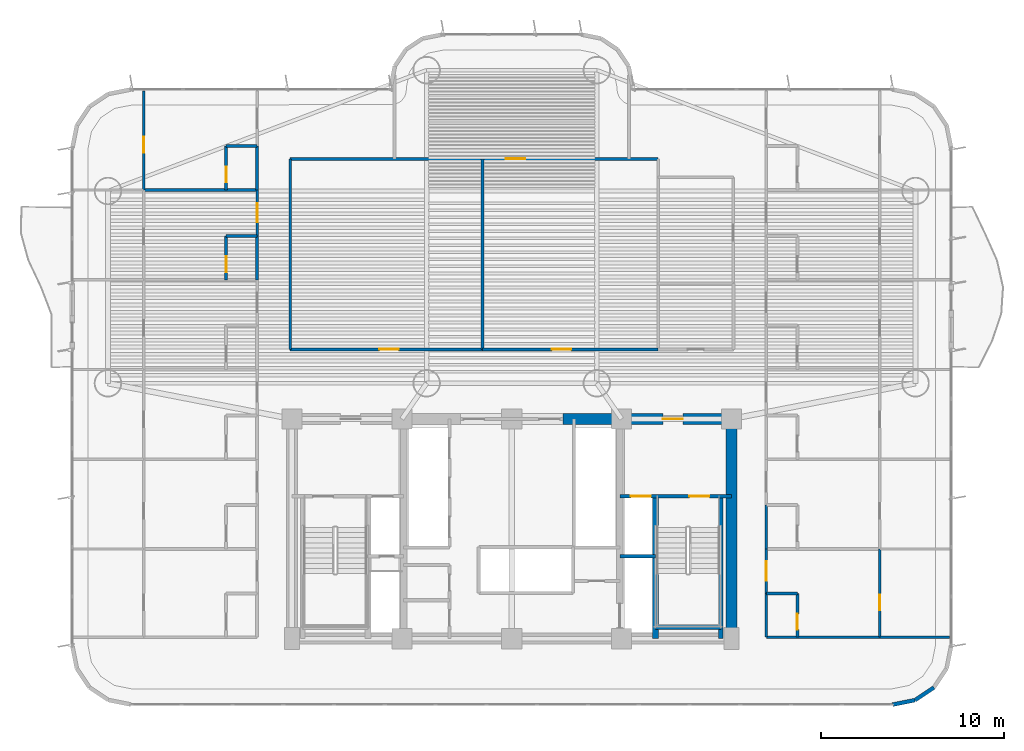
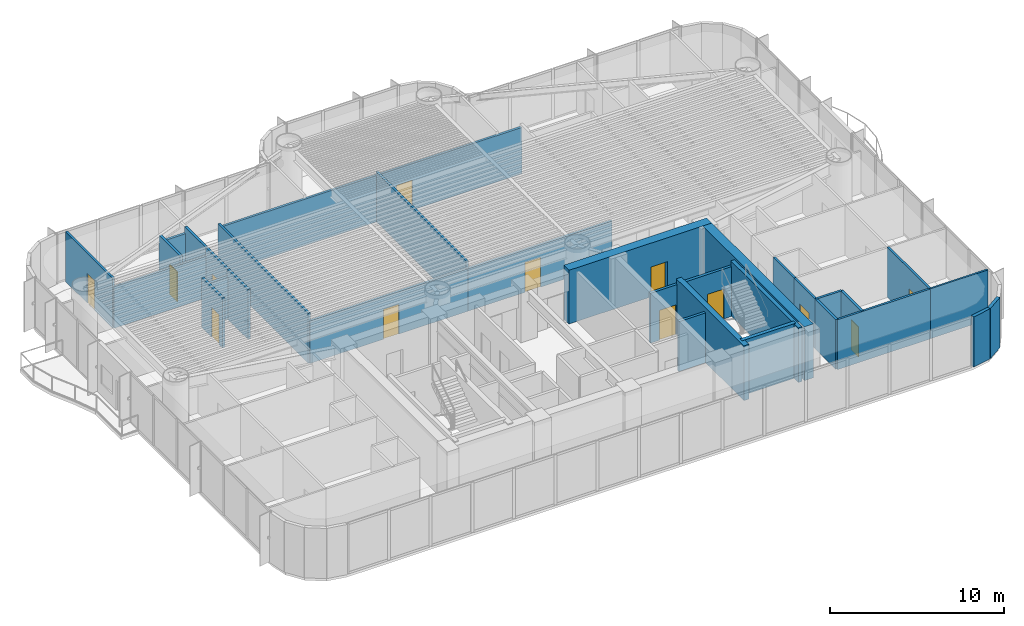
# One storey, part 12 of 19: 31 walls, 13 doors, 13 openings.
"""IFC4 building model written with IfcOpenShell, lengths in metres."""

from ifc_helpers import new_model, si_unit, direction, frame, frame_2d, origin, origin_2d, place, context, subcontext, project, spatial, rectangle, extrude, source, transform, mapped, material, layer, layer_set, type_object, element, fill, save


model = new_model("IFC4")

# Units and contexts
model_context = context("Model", 3, precision=1e-05, world=origin(), true_north=direction((0.0, 1.0)))
body_context = subcontext(model_context, "Body", "Model", "MODEL_VIEW")
ifc_project = project(units=[si_unit("LENGTHUNIT", "METRE"), si_unit("AREAUNIT", "SQUARE_METRE"), si_unit("VOLUMEUNIT", "CUBIC_METRE"), si_unit("PLANEANGLEUNIT", "RADIAN"), si_unit("MASSUNIT", "GRAM", prefix="KILO")], contexts=[model_context])

# Site, building, storey
site_placement = place(None, origin())
site = spatial("IfcSite", under=ifc_project, at=site_placement, CompositionType="ELEMENT")
building_placement = place(site_placement, origin())
building = spatial("IfcBuilding", under=site, at=building_placement, Name="Brelvock Crest Care Tower", CompositionType="ELEMENT")
storey_placement = place(building_placement, frame((0.0, 0.0, 68.580078125)))
storey = spatial("IfcBuildingStorey", under=building, at=storey_placement, Name="L17", CompositionType="ELEMENT", Elevation=68.580078125)

# Wall
ifc_material_1 = material(Name="Concrete S80 (80 MPa)", Category="concrete")
ifc_layer_1 = layer(ifc_material_1, 0.60009765625, Name="WL-CS1")
ifc_layer_set_1 = layer_set([ifc_layer_1], Name="Concrete S80 (80 MPa)")
wall_type_1 = type_object("IfcWallType", Name="WL-CS1", PredefinedType="SHEAR", material=ifc_layer_set_1)
wall_1_placement = place(storey_placement, frame((48.0, 18.0, 0.0), z_axis=(0.0, 0.0, 1.0), x_axis=(0.0, -1.0, 0.0)))
element("IfcWall", 1, at=wall_1_placement, inside=storey, type_object=wall_type_1, Name="L17 Core East Shear Wall", PredefinedType="SHEAR", context=body_context, shape_type="SweptSolid", body=[
    extrude(rectangle(XDim=12.0, YDim=0.60009765625, at=frame_2d((6.0, 0.0))), origin(), (0.0, 0.0, 1.0), 3.780029296875),
])

# Wall, opening, door
wall_2_placement = place(storey_placement, frame((38.800048828125, 18.0, 0.0), z_axis=(0.0, 0.0, 1.0), x_axis=(1.0, 0.0, 0.0)))
wall_2 = element("IfcWall", 2, at=wall_2_placement, inside=storey, type_object=wall_type_1, Name="L17 Core North-East Shear Wall", PredefinedType="SHEAR", context=body_context, shape_type="SweptSolid", body=[
    extrude(rectangle(XDim=9.5, YDim=0.60009765625, at=frame_2d((4.75, 0.0))), origin(), (0.0, 0.0, 1.0), 3.780029296875),
])
opening_1_placement = place(wall_2_placement, frame((5.449951171875, 0.0, 0.0)))
opening_1 = element("IfcOpeningElement", 3, at=opening_1_placement, cuts=wall_2, Name="Opening FD-1", PredefinedType="OPENING", context=body_context, shape_type="SweptSolid", body=[
    extrude(rectangle(XDim=1.10009765625, YDim=2.10009765625, at=origin_2d()), frame((0.550048828125, 0.31005859375, 1.050048828125), z_axis=(0.0, -1.0, 0.0), x_axis=(1.0, 0.0, 0.0)), (0.0, 0.0, 1.0), 0.6201171875),
])
ifc_material_2 = material(Name="Steel Grade 350", Category="steel")
door_type_1 = type_object("IfcDoorType", Name="DR-FFL1", OperationType="NOTDEFINED", PredefinedType="DOOR", material=ifc_material_2)
shared_shape_1 = source(origin(), body_context, "Body", "SweptSolid", [
    extrude(rectangle(XDim=1.10009765625, YDim=2.10009765625, at=origin_2d()), frame((0.550048828125, 0.02490234375, 1.050048828125), z_axis=(0.0, -1.0, 0.0), x_axis=(1.0, 0.0, 0.0)), (0.0, 0.0, 1.0), 0.050048828125),
])
door_1_placement = place(opening_1_placement, origin())
door_1 = element("IfcDoor", 4, at=door_1_placement, inside=storey, type_object=door_type_1, Name="L17 Firefighting Lobby FFL-2 Exit Door", OperationType="SINGLE_SWING_RIGHT", OverallHeight=2.10009765625, OverallWidth=1.10009765625, PredefinedType="DOOR", context=body_context, shape_type="MappedRepresentation", body=[
    mapped(shared_shape_1, transform((0.0, 0.0, 0.0), x_axis=(1.0, 0.0, 0.0), y_axis=(0.0, 1.0, 0.0), z_axis=(0.0, 0.0, 1.0), scale=1.0)),
])
fill(opening_1, door_1)

# Walls
ifc_layer_2 = layer(ifc_material_1, 0.35009765625, Name="WL-CS5")
ifc_layer_set_2 = layer_set([ifc_layer_2], Name="Concrete S80 (80 MPa)")
wall_type_2 = type_object("IfcWallType", Name="WL-CS5", PredefinedType="SHEAR", material=ifc_layer_set_2)
wall_3_placement = place(storey_placement, frame((43.85009765625, 6.0, 0.0), z_axis=(0.0, 0.0, 1.0), x_axis=(0.0, 1.0, 0.0)))
element("IfcWall", 5, at=wall_3_placement, inside=storey, type_object=wall_type_2, Name="L17 Core Stair ST-2 West Shear Wall", PredefinedType="SHEAR", context=body_context, shape_type="SweptSolid", body=[
    extrude(rectangle(XDim=7.780029296875, YDim=0.35009765625, at=frame_2d((3.89013671875, 0.0))), origin(), (0.0, 0.0, 1.0), 3.849853515625),
])
ifc_layer_3 = layer(ifc_material_1, 0.25, Name="WL-CS6")
ifc_layer_set_3 = layer_set([ifc_layer_3], Name="Concrete S80 (80 MPa)")
wall_type_3 = type_object("IfcWallType", Name="WL-CS6", PredefinedType="SHEAR", material=ifc_layer_set_3)
wall_4_placement = place(storey_placement, frame((47.419921875, 6.0, 0.0), z_axis=(0.0, 0.0, 1.0), x_axis=(0.0, 1.0, 0.0)))
element("IfcWall", 6, at=wall_4_placement, inside=storey, type_object=wall_type_3, Name="L17 Core Stair ST-2 East Shear Wall", PredefinedType="SHEAR", context=body_context, shape_type="SweptSolid", body=[
    extrude(rectangle(XDim=7.780029296875, YDim=0.25, at=frame_2d((3.89013671875, 0.0))), origin(), (0.0, 0.0, 1.0), 3.849853515625),
])
wall_5_placement = place(storey_placement, frame((43.85009765625, 6.6201171875, 0.0), z_axis=(0.0, 0.0, 1.0), x_axis=(1.0, 0.0, 0.0)))
element("IfcWall", 7, at=wall_5_placement, inside=storey, type_object=wall_type_3, Name="L17 Core Stair ST-2 South Shear Wall", PredefinedType="SHEAR", context=body_context, shape_type="SweptSolid", body=[
    extrude(rectangle(XDim=3.56982421875, YDim=0.25, at=frame_2d((1.784912109375, 0.0))), origin(), (0.0, 0.0, 1.0), 3.849853515625),
])
ifc_material_3 = material(Name="Precast concrete N40 (40 MPa)", Category="concrete")
ifc_layer_4 = layer(ifc_material_3, 0.215087890625, Name="WL-EX2")
ifc_layer_set_4 = layer_set([ifc_layer_4], Name="Precast concrete N40 (40 MPa)")
wall_type_4 = type_object("IfcWallType", Name="WL-EX2", PredefinedType="SOLIDWALL", material=ifc_layer_set_4)
for number, where, z_axis, x_axis, name in (
    (8, (59.062744140625, 3.33740234375, 0.0), (0.0, 0.0, 1.0), (-0.831387912822, -0.555692485475, 0.0), "L17 Rounded Corner Wall 06"),
    (9, (58.024658203125, 2.6435546875, 0.0), (0.0, 0.0, 1.0), (-0.980775717779, -0.195138390419, 0.0), "L17 Rounded Corner Wall 07"),
):
    element("IfcWall", number, at=place(storey_placement, frame(where, z_axis=z_axis, x_axis=x_axis)), inside=storey, type_object=wall_type_4, Name=name, PredefinedType="SOLIDWALL", context=body_context, shape_type="SweptSolid", body=[
        extrude(rectangle(XDim=1.24853515625, YDim=0.215087890625, at=frame_2d((0.624267578125, 0.0))), origin(), (0.0, 0.0, 1.0), 3.530029296875),
    ])
ifc_material_4 = material(Name="Masonry Blockwork Acoustic Partition", Category="masonry")
ifc_layer_5 = layer(ifc_material_4, 0.14990234375, Name="WL-INT1")
ifc_layer_set_5 = layer_set([ifc_layer_5], Name="Masonry Blockwork Acoustic Partition")
wall_type_5 = type_object("IfcWallType", Name="WL-INT1", PredefinedType="PARTITIONING", material=ifc_layer_set_5)
wall_6_placement = place(storey_placement, frame((49.89990234375, 6.080078125, 0.0), z_axis=(0.0, 0.0, 1.0), x_axis=(1.0, 0.0, 0.0)))
element("IfcWall", 10, at=wall_6_placement, inside=storey, type_object=wall_type_5, Name="L17 Interior Wall WL-BX-L17-CS-EC1-S", PredefinedType="PARTITIONING", context=body_context, shape_type="SweptSolid", body=[
    extrude(rectangle(XDim=6.2001953125, YDim=0.14990234375, at=frame_2d((3.10009765625, 0.0))), origin(), (0.0, 0.0, 1.0), 3.5),
])

# Wall, opening, door
wall_7_placement = place(storey_placement, frame((23.89990234375, 21.800048828125, 0.0), z_axis=(0.0, 0.0, 1.0), x_axis=(1.0, 0.0, 0.0)))
wall_7 = element("IfcWall", 11, at=wall_7_placement, inside=storey, type_object=wall_type_5, Name="L17 Interior Wall WL-RM-L17-CNW", PredefinedType="PARTITIONING", context=body_context, shape_type="SweptSolid", body=[
    extrude(rectangle(XDim=10.5, YDim=0.14990234375, at=frame_2d((5.25, 0.0))), origin(), (0.0, 0.0, 1.0), 2.98193359375),
])
opening_2_placement = place(wall_7_placement, frame((4.875, 0.0, 0.0)))
opening_2 = element("IfcOpeningElement", 12, at=opening_2_placement, cuts=wall_7, Name="Opening CLD-1", PredefinedType="OPENING", context=body_context, shape_type="SweptSolid", body=[
    extrude(rectangle(XDim=1.050048828125, YDim=2.10009765625, at=origin_2d()), frame((0.52490234375, 0.0849609375, 1.050048828125), z_axis=(0.0, -1.0, 0.0), x_axis=(1.0, 0.0, 0.0)), (0.0, 0.0, 1.0), 0.169921875),
])
ifc_material_5 = material(Name="Engineered Hardwood Timber", Category="wood")
door_type_2 = type_object("IfcDoorType", Name="DR-CLN1", OperationType="NOTDEFINED", PredefinedType="DOOR", material=ifc_material_5)
shared_shape_2 = source(origin(), body_context, "Body", "SweptSolid", [
    extrude(rectangle(XDim=1.050048828125, YDim=2.10009765625, at=origin_2d()), frame((0.52490234375, 0.02490234375, 1.050048828125), z_axis=(0.0, -1.0, 0.0), x_axis=(1.0, 0.0, 0.0)), (0.0, 0.0, 1.0), 0.050048828125),
])
door_2_placement = place(opening_2_placement, origin())
door_2 = element("IfcDoor", 13, at=door_2_placement, inside=storey, type_object=door_type_2, Name="L17 Communal Dining Conservatory Door CNW", OperationType="SINGLE_SWING_LEFT", OverallHeight=2.10009765625, OverallWidth=1.050048828125, PredefinedType="DOOR", context=body_context, shape_type="MappedRepresentation", body=[
    mapped(shared_shape_2, transform((0.0, 0.0, 0.0), x_axis=(1.0, 0.0, 0.0), y_axis=(0.0, 1.0, 0.0), z_axis=(0.0, 0.0, 1.0), scale=1.0)),
])
fill(opening_2, door_2)

wall_8_placement = place(storey_placement, frame((34.39990234375, 21.800048828125, 0.0), z_axis=(0.0, 0.0, 1.0), x_axis=(1.0, 0.0, 0.0)))
wall_8 = element("IfcWall", 14, at=wall_8_placement, inside=storey, type_object=wall_type_5, Name="L17 Interior Wall WL-RM-L17-CNE", PredefinedType="PARTITIONING", context=body_context, shape_type="SweptSolid", body=[
    extrude(rectangle(XDim=9.60009765625, YDim=0.14990234375, at=frame_2d((4.800048828125, 0.0))), origin(), (0.0, 0.0, 1.0), 2.98193359375),
])
opening_3_placement = place(wall_8_placement, frame((3.794921875, 0.0, 0.0)))
opening_3 = element("IfcOpeningElement", 15, at=opening_3_placement, cuts=wall_8, Name="Opening CLD-1", PredefinedType="OPENING", context=body_context, shape_type="SweptSolid", body=[
    extrude(rectangle(XDim=1.050048828125, YDim=2.10009765625, at=origin_2d()), frame((0.52490234375, 0.0849609375, 1.050048828125), z_axis=(0.0, -1.0, 0.0), x_axis=(1.0, 0.0, 0.0)), (0.0, 0.0, 1.0), 0.169921875),
])
door_3_placement = place(opening_3_placement, origin())
door_3 = element("IfcDoor", 16, at=door_3_placement, inside=storey, type_object=door_type_2, Name="L17 Geriatric Nurse Consultation Hub Door CNE", OperationType="SINGLE_SWING_LEFT", OverallHeight=2.10009765625, OverallWidth=1.050048828125, PredefinedType="DOOR", context=body_context, shape_type="MappedRepresentation", body=[
    mapped(shared_shape_2, transform((0.0, 0.0, 0.0), x_axis=(1.0, 0.0, 0.0), y_axis=(0.0, 1.0, 0.0), z_axis=(0.0, 0.0, 1.0), scale=1.0)),
])
fill(opening_3, door_3)

# Wall
wall_9_placement = place(storey_placement, frame((15.89990234375, 30.5, 0.0), z_axis=(0.0, 0.0, 1.0), x_axis=(1.0, 0.0, 0.0)))
element("IfcWall", 17, at=wall_9_placement, inside=storey, type_object=wall_type_5, Name="L17 Interior Wall WL-BX-L17-CS-WC5-N", PredefinedType="PARTITIONING", context=body_context, shape_type="SweptSolid", body=[
    extrude(rectangle(XDim=6.2001953125, YDim=0.14990234375, at=frame_2d((3.10009765625, 0.0))), origin(), (0.0, 0.0, 1.0), 2.90283203125),
])

# Wall, opening, door
wall_10_placement = place(storey_placement, frame((23.89990234375, 32.199951171875, 0.0), z_axis=(0.0, 0.0, 1.0), x_axis=(1.0, 0.0, 0.0)))
wall_10 = element("IfcWall", 18, at=wall_10_placement, inside=storey, type_object=wall_type_5, Name="L17 Interior Wall WL-RM-L17-NHUB", PredefinedType="PARTITIONING", context=body_context, shape_type="SweptSolid", body=[
    extrude(rectangle(XDim=20.10009765625, YDim=0.14990234375, at=frame_2d((10.050048828125, 0.0))), origin(), (0.0, 0.0, 1.0), 3.259033203125),
])
opening_4_placement = place(wall_10_placement, frame((11.77490234375, 0.0, 0.0)))
opening_4 = element("IfcOpeningElement", 19, at=opening_4_placement, cuts=wall_10, Name="Opening CLD-1", PredefinedType="OPENING", context=body_context, shape_type="SweptSolid", body=[
    extrude(rectangle(XDim=1.050048828125, YDim=2.10009765625, at=origin_2d()), frame((0.52490234375, 0.0849609375, 1.050048828125), z_axis=(0.0, -1.0, 0.0), x_axis=(1.0, 0.0, 0.0)), (0.0, 0.0, 1.0), 0.169921875),
])
door_4_placement = place(opening_4_placement, origin())
door_4 = element("IfcDoor", 20, at=door_4_placement, inside=storey, type_object=door_type_2, Name="L17 Harbour Wintergarden Lounge Door NHUB", OperationType="SINGLE_SWING_LEFT", OverallHeight=2.10009765625, OverallWidth=1.050048828125, PredefinedType="DOOR", context=body_context, shape_type="MappedRepresentation", body=[
    mapped(shared_shape_2, transform((0.0, 0.0, 0.0), x_axis=(1.0, 0.0, 0.0), y_axis=(0.0, 1.0, 0.0), z_axis=(0.0, 0.0, 1.0), scale=1.0)),
])
fill(opening_4, door_4)

wall_11_placement = place(storey_placement, frame((15.89990234375, 30.5, 0.0), z_axis=(0.0, 0.0, 1.0), x_axis=(0.0, 1.0, 0.0)))
wall_11 = element("IfcWall", 21, at=wall_11_placement, inside=storey, type_object=wall_type_5, Name="L17 Interior Wall WL-RM-L17-WC6S", PredefinedType="PARTITIONING", context=body_context, shape_type="SweptSolid", body=[
    extrude(rectangle(XDim=5.420166015625, YDim=0.14990234375, at=frame_2d((2.7099609375, 0.0))), origin(), (0.0, 0.0, 1.0), 3.5),
])
opening_5_placement = place(wall_11_placement, frame((2.0400390625, 0.0, 0.0)))
opening_5 = element("IfcOpeningElement", 22, at=opening_5_placement, cuts=wall_11, Name="Opening ID-1", PredefinedType="OPENING", context=body_context, shape_type="SweptSolid", body=[
    extrude(rectangle(XDim=0.860107421875, YDim=2.10009765625, at=origin_2d()), frame((0.43017578125, 0.0849609375, 1.050048828125), z_axis=(0.0, -1.0, 0.0), x_axis=(1.0, 0.0, 0.0)), (0.0, 0.0, 1.0), 0.169921875),
])
door_type_3 = type_object("IfcDoorType", Name="DR-INT1", OperationType="NOTDEFINED", PredefinedType="DOOR", material=ifc_material_5)
shared_shape_3 = source(origin(), body_context, "Body", "SweptSolid", [
    extrude(rectangle(XDim=0.860107421875, YDim=2.10009765625, at=origin_2d()), frame((0.43017578125, 0.02490234375, 1.050048828125), z_axis=(0.0, -1.0, 0.0), x_axis=(1.0, 0.0, 0.0)), (0.0, 0.0, 1.0), 0.050048828125),
])
door_5_placement = place(opening_5_placement, origin())
door_5 = element("IfcDoor", 23, at=door_5_placement, inside=storey, type_object=door_type_3, Name="L17 Skilled Nursing Mobility Store Door WC6S", OperationType="SINGLE_SWING_LEFT", OverallHeight=2.10009765625, OverallWidth=0.860107421875, PredefinedType="DOOR", context=body_context, shape_type="MappedRepresentation", body=[
    mapped(shared_shape_3, transform((0.0, 0.0, 0.0), x_axis=(1.0, 0.0, 0.0), y_axis=(0.0, 1.0, 0.0), z_axis=(0.0, 0.0, 1.0), scale=1.0)),
])
fill(opening_5, door_5)

wall_12_placement = place(storey_placement, frame((22.10009765625, 28.0, 0.0), z_axis=(0.0, 0.0, 1.0), x_axis=(0.0, 1.0, 0.0)))
wall_12 = element("IfcWall", 24, at=wall_12_placement, inside=storey, type_object=wall_type_5, Name="L17 Interior Wall WL-CENT-L17-WC5", PredefinedType="PARTITIONING", context=body_context, shape_type="SweptSolid", body=[
    extrude(rectangle(XDim=2.5, YDim=0.14990234375, at=frame_2d((1.25, 0.0))), origin(), (0.0, 0.0, 1.0), 3.5),
])
opening_6_placement = place(wall_12_placement, frame((0.72998046875, 0.0, 0.0)))
opening_6 = element("IfcOpeningElement", 25, at=opening_6_placement, cuts=wall_12, Name="Opening CD-1", PredefinedType="OPENING", context=body_context, shape_type="SweptSolid", body=[
    extrude(rectangle(XDim=1.050048828125, YDim=2.10009765625, at=origin_2d()), frame((0.52490234375, 0.0849609375, 1.050048828125), z_axis=(0.0, -1.0, 0.0), x_axis=(1.0, 0.0, 0.0)), (0.0, 0.0, 1.0), 0.169921875),
])
door_type_4 = type_object("IfcDoorType", Name="DR-CARE1", OperationType="NOTDEFINED", PredefinedType="DOOR", material=ifc_material_5)
shared_shape_4 = source(origin(), body_context, "Body", "SweptSolid", [
    extrude(rectangle(XDim=1.050048828125, YDim=2.10009765625, at=origin_2d()), frame((0.52490234375, 0.02490234375, 1.050048828125), z_axis=(0.0, -1.0, 0.0), x_axis=(1.0, 0.0, 0.0)), (0.0, 0.0, 1.0), 0.050048828125),
])
door_6_placement = place(opening_6_placement, origin())
door_6 = element("IfcDoor", 26, at=door_6_placement, inside=storey, type_object=door_type_4, Name="L17 Care Suite Door WC5", OperationType="SINGLE_SWING_LEFT", OverallHeight=2.10009765625, OverallWidth=1.050048828125, PredefinedType="DOOR", context=body_context, shape_type="MappedRepresentation", body=[
    mapped(shared_shape_4, transform((0.0, 0.0, 0.0), x_axis=(1.0, 0.0, 0.0), y_axis=(0.0, 1.0, 0.0), z_axis=(0.0, 0.0, 1.0), scale=1.0)),
])
fill(opening_6, door_6)

# Walls
for number, where, z_axis, x_axis, name in (
    (27, (23.89990234375, 21.800048828125, 0.0), (0.0, 0.0, 1.0), (0.0, 1.0, 0.0), "L17 Interior Wall WL-BX-L17-CNW-W"),
    (28, (34.39990234375, 21.800048828125, 0.0), (0.0, 0.0, 1.0), (0.0, 1.0, 0.0), "L17 Interior Wall WL-BX-L17-CNE-W"),
):
    element("IfcWall", number, at=place(storey_placement, frame(where, z_axis=z_axis, x_axis=x_axis)), inside=storey, type_object=wall_type_5, Name=name, PredefinedType="PARTITIONING", context=body_context, shape_type="SweptSolid", body=[
        extrude(rectangle(XDim=10.39990234375, YDim=0.14990234375, at=frame_2d((5.199951171875, 0.0))), origin(), (0.0, 0.0, 1.0), 3.5),
    ])

# Wall, opening, door
wall_13_placement = place(storey_placement, frame((49.89990234375, 8.47998046875, 0.0), z_axis=(0.0, 0.0, 1.0), x_axis=(0.0, 1.0, 0.0)))
wall_13 = element("IfcWall", 29, at=wall_13_placement, inside=storey, type_object=wall_type_5, Name="L17 Interior Wall WL-CENT-L17-EC1", PredefinedType="PARTITIONING", context=body_context, shape_type="SweptSolid", body=[
    extrude(rectangle(XDim=2.419921875, YDim=0.14990234375, at=frame_2d((1.2099609375, 0.0))), origin(), (0.0, 0.0, 1.0), 3.5),
])
opening_7_placement = place(wall_13_placement, frame((0.68994140625, 0.0, 0.0)))
opening_7 = element("IfcOpeningElement", 30, at=opening_7_placement, cuts=wall_13, Name="Opening CD-1", PredefinedType="OPENING", context=body_context, shape_type="SweptSolid", body=[
    extrude(rectangle(XDim=1.050048828125, YDim=2.10009765625, at=origin_2d()), frame((0.52490234375, 0.0849609375, 1.050048828125), z_axis=(0.0, -1.0, 0.0), x_axis=(1.0, 0.0, 0.0)), (0.0, 0.0, 1.0), 0.169921875),
])
door_7_placement = place(opening_7_placement, origin())
door_7 = element("IfcDoor", 31, at=door_7_placement, inside=storey, type_object=door_type_4, Name="L17 Care Suite Door EC1", OperationType="SINGLE_SWING_LEFT", OverallHeight=2.10009765625, OverallWidth=1.050048828125, PredefinedType="DOOR", context=body_context, shape_type="MappedRepresentation", body=[
    mapped(shared_shape_4, transform((0.0, 0.0, 0.0), x_axis=(1.0, 0.0, 0.0), y_axis=(0.0, 1.0, 0.0), z_axis=(0.0, 0.0, 1.0), scale=1.0)),
])
fill(opening_7, door_7)

wall_14_placement = place(storey_placement, frame((56.10009765625, 6.080078125, 0.0), z_axis=(0.0, 0.0, 1.0), x_axis=(0.0, 1.0, 0.0)))
wall_14 = element("IfcWall", 32, at=wall_14_placement, inside=storey, type_object=wall_type_5, Name="L17 Interior Wall WL-RM-L17-EC1S", PredefinedType="PARTITIONING", context=body_context, shape_type="SweptSolid", body=[
    extrude(rectangle(XDim=4.81982421875, YDim=0.14990234375, at=frame_2d((2.409912109375, 0.0))), origin(), (0.0, 0.0, 1.0), 3.5),
])
opening_8_placement = place(wall_14_placement, frame((1.4599609375, 0.0, 0.0)))
opening_8 = element("IfcOpeningElement", 33, at=opening_8_placement, cuts=wall_14, Name="Opening ID-1", PredefinedType="OPENING", context=body_context, shape_type="SweptSolid", body=[
    extrude(rectangle(XDim=0.860107421875, YDim=2.10009765625, at=origin_2d()), frame((0.43017578125, 0.0849609375, 1.050048828125), z_axis=(0.0, -1.0, 0.0), x_axis=(1.0, 0.0, 0.0)), (0.0, 0.0, 1.0), 0.169921875),
])
door_8_placement = place(opening_8_placement, origin())
door_8 = element("IfcDoor", 34, at=door_8_placement, inside=storey, type_object=door_type_3, Name="L17 Skilled Nursing Mobility Store Door EC1S", OperationType="SINGLE_SWING_LEFT", OverallHeight=2.10009765625, OverallWidth=0.860107421875, PredefinedType="DOOR", context=body_context, shape_type="MappedRepresentation", body=[
    mapped(shared_shape_3, transform((0.0, 0.0, 0.0), x_axis=(1.0, 0.0, 0.0), y_axis=(0.0, 1.0, 0.0), z_axis=(0.0, 0.0, 1.0), scale=1.0)),
])
fill(opening_8, door_8)

# Walls
ifc_material_6 = material(Name="Gypsum Plasterboard Partition", Category="gypsum")
ifc_layer_6 = layer(ifc_material_6, 0.1201171875, Name="WL-INT2")
ifc_layer_set_6 = layer_set([ifc_layer_6], Name="Gypsum Plasterboard Partition")
wall_type_6 = type_object("IfcWallType", Name="WL-INT2", PredefinedType="PARTITIONING", material=ifc_layer_set_6)
wall_15_placement = place(storey_placement, frame((56.10009765625, 6.080078125, 0.0), z_axis=(0.0, 0.0, 1.0), x_axis=(1.0, 0.0, 0.0)))
element("IfcWall", 35, at=wall_15_placement, inside=storey, type_object=wall_type_6, Name="L17 Interior Wall WL-BX-L17-EC1S-S", PredefinedType="PARTITIONING", context=body_context, shape_type="SweptSolid", body=[
    extrude(rectangle(XDim=3.81982421875, YDim=0.1201171875, at=frame_2d((1.909912109375, 0.0))), origin(), (0.0, 0.0, 1.0), 3.5),
])
ifc_layer_7 = layer(ifc_material_6, 0.159912109375, Name="WL-PLM1")
ifc_layer_set_7 = layer_set([ifc_layer_7], Name="Gypsum Plasterboard Partition")
wall_type_7 = type_object("IfcWallType", Name="WL-PLM1", PredefinedType="PLUMBINGWALL", material=ifc_layer_set_7)
wall_16_placement = place(storey_placement, frame((49.89990234375, 8.47998046875, 0.0), z_axis=(0.0, 0.0, 1.0), x_axis=(1.0, 0.0, 0.0)))
element("IfcWall", 36, at=wall_16_placement, inside=storey, type_object=wall_type_7, Name="L17 Interior Wall WL-CENS2-L17-EC1", PredefinedType="PLUMBINGWALL", context=body_context, shape_type="SweptSolid", body=[
    extrude(rectangle(XDim=1.7001953125, YDim=0.159912109375, at=frame_2d((0.85009765625, 0.0))), origin(), (0.0, 0.0, 1.0), 3.5),
])
wall_17_placement = place(storey_placement, frame((20.39990234375, 28.0, 0.0), z_axis=(0.0, 0.0, 1.0), x_axis=(1.0, 0.0, 0.0)))
element("IfcWall", 37, at=wall_17_placement, inside=storey, type_object=wall_type_7, Name="L17 Interior Wall WL-CENS2-L17-WC5", PredefinedType="PLUMBINGWALL", context=body_context, shape_type="SweptSolid", body=[
    extrude(rectangle(XDim=1.7001953125, YDim=0.159912109375, at=frame_2d((0.85009765625, 0.0))), origin(), (0.0, 0.0, 1.0), 2.98193359375),
])
wall_18_placement = place(storey_placement, frame((20.39990234375, 32.89990234375, 0.0), z_axis=(0.0, 0.0, 1.0), x_axis=(1.0, 0.0, 0.0)))
element("IfcWall", 38, at=wall_18_placement, inside=storey, type_object=wall_type_7, Name="L17 Interior Wall WL-CENS2-L17-WC6", PredefinedType="PLUMBINGWALL", context=body_context, shape_type="SweptSolid", body=[
    extrude(rectangle(XDim=1.7001953125, YDim=0.159912109375, at=frame_2d((0.85009765625, 0.0))), origin(), (0.0, 0.0, 1.0), 3.054931640625),
])

# Wall, opening, door
wall_19_placement = place(storey_placement, frame((20.39990234375, 25.60009765625, 0.0), z_axis=(0.0, 0.0, 1.0), x_axis=(0.0, 1.0, 0.0)))
wall_19 = element("IfcWall", 39, at=wall_19_placement, inside=storey, type_object=wall_type_7, Name="L17 Interior Wall WL-CENS1-L17-WC5", PredefinedType="PLUMBINGWALL", context=body_context, shape_type="SweptSolid", body=[
    extrude(rectangle(XDim=2.39990234375, YDim=0.159912109375, at=frame_2d((1.199951171875, 0.0))), origin(), (0.0, 0.0, 1.0), 3.5),
])
opening_9_placement = place(wall_19_placement, frame((0.419921875, 0.0, 0.0)))
opening_9 = element("IfcOpeningElement", 40, at=opening_9_placement, cuts=wall_19, Name="Opening WD-1", PredefinedType="OPENING", context=body_context, shape_type="SweptSolid", body=[
    extrude(rectangle(XDim=0.860107421875, YDim=2.10009765625, at=origin_2d()), frame((0.43017578125, 0.08984375, 1.050048828125), z_axis=(0.0, -1.0, 0.0), x_axis=(1.0, 0.0, 0.0)), (0.0, 0.0, 1.0), 0.179931640625),
])
door_type_5 = type_object("IfcDoorType", Name="DR-WC1", OperationType="NOTDEFINED", PredefinedType="DOOR", material=ifc_material_5)
shared_shape_5 = source(origin(), body_context, "Body", "SweptSolid", [
    extrude(rectangle(XDim=0.860107421875, YDim=2.10009765625, at=origin_2d()), frame((0.43017578125, 0.02490234375, 1.050048828125), z_axis=(0.0, -1.0, 0.0), x_axis=(1.0, 0.0, 0.0)), (0.0, 0.0, 1.0), 0.050048828125),
])
door_9_placement = place(opening_9_placement, origin())
door_9 = element("IfcDoor", 41, at=door_9_placement, inside=storey, type_object=door_type_5, Name="L17 Care En-Suite Door WC5", OperationType="SINGLE_SWING_LEFT", OverallHeight=2.10009765625, OverallWidth=0.860107421875, PredefinedType="DOOR", context=body_context, shape_type="MappedRepresentation", body=[
    mapped(shared_shape_5, transform((0.0, 0.0, 0.0), x_axis=(1.0, 0.0, 0.0), y_axis=(0.0, 1.0, 0.0), z_axis=(0.0, 0.0, 1.0), scale=1.0)),
])
fill(opening_9, door_9)

wall_20_placement = place(storey_placement, frame((20.39990234375, 30.5, 0.0), z_axis=(0.0, 0.0, 1.0), x_axis=(0.0, 1.0, 0.0)))
wall_20 = element("IfcWall", 42, at=wall_20_placement, inside=storey, type_object=wall_type_7, Name="L17 Interior Wall WL-CENS1-L17-WC6", PredefinedType="PLUMBINGWALL", context=body_context, shape_type="SweptSolid", body=[
    extrude(rectangle(XDim=2.39990234375, YDim=0.159912109375, at=frame_2d((1.199951171875, 0.0))), origin(), (0.0, 0.0, 1.0), 3.5),
])
opening_10_placement = place(wall_20_placement, frame((0.419921875, 0.0, 0.0)))
opening_10 = element("IfcOpeningElement", 43, at=opening_10_placement, cuts=wall_20, Name="Opening WD-1", PredefinedType="OPENING", context=body_context, shape_type="SweptSolid", body=[
    extrude(rectangle(XDim=0.860107421875, YDim=2.10009765625, at=origin_2d()), frame((0.43017578125, 0.08984375, 1.050048828125), z_axis=(0.0, -1.0, 0.0), x_axis=(1.0, 0.0, 0.0)), (0.0, 0.0, 1.0), 0.179931640625),
])
door_10_placement = place(opening_10_placement, origin())
door_10 = element("IfcDoor", 44, at=door_10_placement, inside=storey, type_object=door_type_5, Name="L17 Care En-Suite Door WC6", OperationType="SINGLE_SWING_LEFT", OverallHeight=2.10009765625, OverallWidth=0.860107421875, PredefinedType="DOOR", context=body_context, shape_type="MappedRepresentation", body=[
    mapped(shared_shape_5, transform((0.0, 0.0, 0.0), x_axis=(1.0, 0.0, 0.0), y_axis=(0.0, 1.0, 0.0), z_axis=(0.0, 0.0, 1.0), scale=1.0)),
])
fill(opening_10, door_10)

# Walls
for number, where, z_axis, x_axis, name in (
    (45, (22.10009765625, 25.60009765625, 0.0), (0.0, 0.0, 1.0), (0.0, 1.0, 0.0), "L17 Interior Wall WL-CENS0-L17-WC5"),
    (46, (22.10009765625, 30.5, 0.0), (0.0, 0.0, 1.0), (0.0, 1.0, 0.0), "L17 Interior Wall WL-CENS0-L17-WC6"),
    (47, (49.89990234375, 6.080078125, 0.0), (0.0, 0.0, 1.0), (0.0, 1.0, 0.0), "L17 Interior Wall WL-CENS0-L17-EC1"),
):
    element("IfcWall", number, at=place(storey_placement, frame(where, z_axis=z_axis, x_axis=x_axis)), inside=storey, type_object=wall_type_7, Name=name, PredefinedType="PLUMBINGWALL", context=body_context, shape_type="SweptSolid", body=[
        extrude(rectangle(XDim=2.39990234375, YDim=0.159912109375, at=frame_2d((1.199951171875, 0.0))), origin(), (0.0, 0.0, 1.0), 3.5),
    ])
wall_21_placement = place(storey_placement, frame((49.89990234375, 10.89990234375, 0.0), z_axis=(0.0, 0.0, 1.0), x_axis=(0.0, 1.0, 0.0)))
element("IfcWall", 48, at=wall_21_placement, inside=storey, type_object=wall_type_7, Name="L17 Interior Wall WL-CENS0-L17-EC2", PredefinedType="PLUMBINGWALL", context=body_context, shape_type="SweptSolid", body=[
    extrude(rectangle(XDim=2.400146484375, YDim=0.159912109375, at=frame_2d((1.2001953125, 0.0))), origin(), (0.0, 0.0, 1.0), 3.5),
])

# Wall, opening, door
wall_22_placement = place(storey_placement, frame((51.60009765625, 6.080078125, 0.0), z_axis=(0.0, 0.0, 1.0), x_axis=(0.0, 1.0, 0.0)))
wall_22 = element("IfcWall", 49, at=wall_22_placement, inside=storey, type_object=wall_type_7, Name="L17 Interior Wall WL-CENS1-L17-EC1", PredefinedType="PLUMBINGWALL", context=body_context, shape_type="SweptSolid", body=[
    extrude(rectangle(XDim=2.39990234375, YDim=0.159912109375, at=frame_2d((1.199951171875, 0.0))), origin(), (0.0, 0.0, 1.0), 3.5),
])
opening_11_placement = place(wall_22_placement, frame((0.419921875, 0.0, 0.0)))
opening_11 = element("IfcOpeningElement", 50, at=opening_11_placement, cuts=wall_22, Name="Opening WD-1", PredefinedType="OPENING", context=body_context, shape_type="SweptSolid", body=[
    extrude(rectangle(XDim=0.860107421875, YDim=2.10009765625, at=origin_2d()), frame((0.43017578125, 0.08984375, 1.050048828125), z_axis=(0.0, -1.0, 0.0), x_axis=(1.0, 0.0, 0.0)), (0.0, 0.0, 1.0), 0.179931640625),
])
door_11_placement = place(opening_11_placement, origin())
door_11 = element("IfcDoor", 51, at=door_11_placement, inside=storey, type_object=door_type_5, Name="L17 Care En-Suite Door EC1", OperationType="SINGLE_SWING_RIGHT", OverallHeight=2.10009765625, OverallWidth=0.860107421875, PredefinedType="DOOR", context=body_context, shape_type="MappedRepresentation", body=[
    mapped(shared_shape_5, transform((0.0, 0.0, 0.0), x_axis=(1.0, 0.0, 0.0), y_axis=(0.0, 1.0, 0.0), z_axis=(0.0, 0.0, 1.0), scale=1.0)),
])
fill(opening_11, door_11)

# Wall, openings, doors
ifc_layer_8 = layer(ifc_material_4, 0.179931640625, Name="WL-SHF1")
ifc_layer_set_8 = layer_set([ifc_layer_8], Name="Masonry Blockwork Acoustic Partition")
wall_type_8 = type_object("IfcWallType", Name="WL-SHF1", PredefinedType="PARTITIONING", material=ifc_layer_set_8)
wall_23_placement = place(storey_placement, frame((41.89990234375, 13.780029296875, 0.0), z_axis=(0.0, 0.0, 1.0), x_axis=(1.0, 0.0, 0.0)))
wall_23 = element("IfcWall", 52, at=wall_23_placement, inside=storey, type_object=wall_type_8, Name="L17 Interior Wall WL-ST2-N-L17", PredefinedType="PARTITIONING", context=body_context, shape_type="SweptSolid", body=[
    extrude(rectangle(XDim=6.10009765625, YDim=0.179931640625, at=frame_2d((3.050048828125, 0.0))), origin(), (0.0, 0.0, 1.0), 3.5),
])
opening_12_placement = place(wall_23_placement, frame((0.60009765625, 0.0, 0.0)))
opening_12 = element("IfcOpeningElement", 53, at=opening_12_placement, cuts=wall_23, Name="Opening LD", PredefinedType="OPENING", context=body_context, shape_type="SweptSolid", body=[
    extrude(rectangle(XDim=1.10009765625, YDim=2.10009765625, at=origin_2d()), frame((0.550048828125, 0.10009765625, 1.050048828125), z_axis=(0.0, -1.0, 0.0), x_axis=(1.0, 0.0, 0.0)), (0.0, 0.0, 1.0), 0.199951171875),
])
opening_13_placement = place(wall_23_placement, frame((3.800048828125, 0.0, 0.0)))
opening_13 = element("IfcOpeningElement", 54, at=opening_13_placement, cuts=wall_23, Name="Opening SD-1", PredefinedType="OPENING", context=body_context, shape_type="SweptSolid", body=[
    extrude(rectangle(XDim=1.10009765625, YDim=2.10009765625, at=origin_2d()), frame((0.550048828125, 0.10009765625, 1.050048828125), z_axis=(0.0, -1.0, 0.0), x_axis=(1.0, 0.0, 0.0)), (0.0, 0.0, 1.0), 0.199951171875),
])
door_type_6 = type_object("IfcDoorType", Name="DR-ST1", OperationType="NOTDEFINED", PredefinedType="DOOR", material=ifc_material_2)
shared_shape_6 = source(origin(), body_context, "Body", "SweptSolid", [
    extrude(rectangle(XDim=1.10009765625, YDim=2.10009765625, at=origin_2d()), frame((0.550048828125, 0.02490234375, 1.050048828125), z_axis=(0.0, -1.0, 0.0), x_axis=(1.0, 0.0, 0.0)), (0.0, 0.0, 1.0), 0.050048828125),
])
door_12_placement = place(opening_13_placement, origin())
door_12 = element("IfcDoor", 55, at=door_12_placement, inside=storey, type_object=door_type_6, Name="L17 Fire Stair ST-2 Door", OperationType="SINGLE_SWING_RIGHT", OverallHeight=2.10009765625, OverallWidth=1.10009765625, PredefinedType="DOOR", context=body_context, shape_type="MappedRepresentation", body=[
    mapped(shared_shape_6, transform((0.0, 0.0, 0.0), x_axis=(1.0, 0.0, 0.0), y_axis=(0.0, 1.0, 0.0), z_axis=(0.0, 0.0, 1.0), scale=1.0)),
])
fill(opening_13, door_12)
door_type_7 = type_object("IfcDoorType", Name="DR-LD1", OperationType="NOTDEFINED", PredefinedType="DOOR", material=ifc_material_2)
shared_shape_7 = source(origin(), body_context, "Body", "SweptSolid", [
    extrude(rectangle(XDim=1.10009765625, YDim=2.10009765625, at=origin_2d()), frame((0.550048828125, 0.02490234375, 1.050048828125), z_axis=(0.0, -1.0, 0.0), x_axis=(1.0, 0.0, 0.0)), (0.0, 0.0, 1.0), 0.050048828125),
])
door_13_placement = place(opening_12_placement, origin())
door_13 = element("IfcDoor", 56, at=door_13_placement, inside=storey, type_object=door_type_7, Name="L17 Firefighting Lift FFL-2 Landing Door", OperationType="SLIDING_TO_RIGHT", OverallHeight=2.10009765625, OverallWidth=1.10009765625, PredefinedType="DOOR", context=body_context, shape_type="MappedRepresentation", body=[
    mapped(shared_shape_7, transform((0.0, 0.0, 0.0), x_axis=(1.0, 0.0, 0.0), y_axis=(0.0, 1.0, 0.0), z_axis=(0.0, 0.0, 1.0), scale=1.0)),
])
fill(opening_12, door_13)

# Wall
wall_24_placement = place(storey_placement, frame((41.89990234375, 10.5, 0.0), z_axis=(0.0, 0.0, 1.0), x_axis=(1.0, 0.0, 0.0)))
element("IfcWall", 57, at=wall_24_placement, inside=storey, type_object=wall_type_8, Name="L17 Interior Wall WL-FFH2-S-L17", PredefinedType="PARTITIONING", context=body_context, shape_type="SweptSolid", body=[
    extrude(rectangle(XDim=1.9501953125, YDim=0.179931640625, at=frame_2d((0.97509765625, 0.0))), origin(), (0.0, 0.0, 1.0), 3.5),
])

save(model, "model.ifc")
